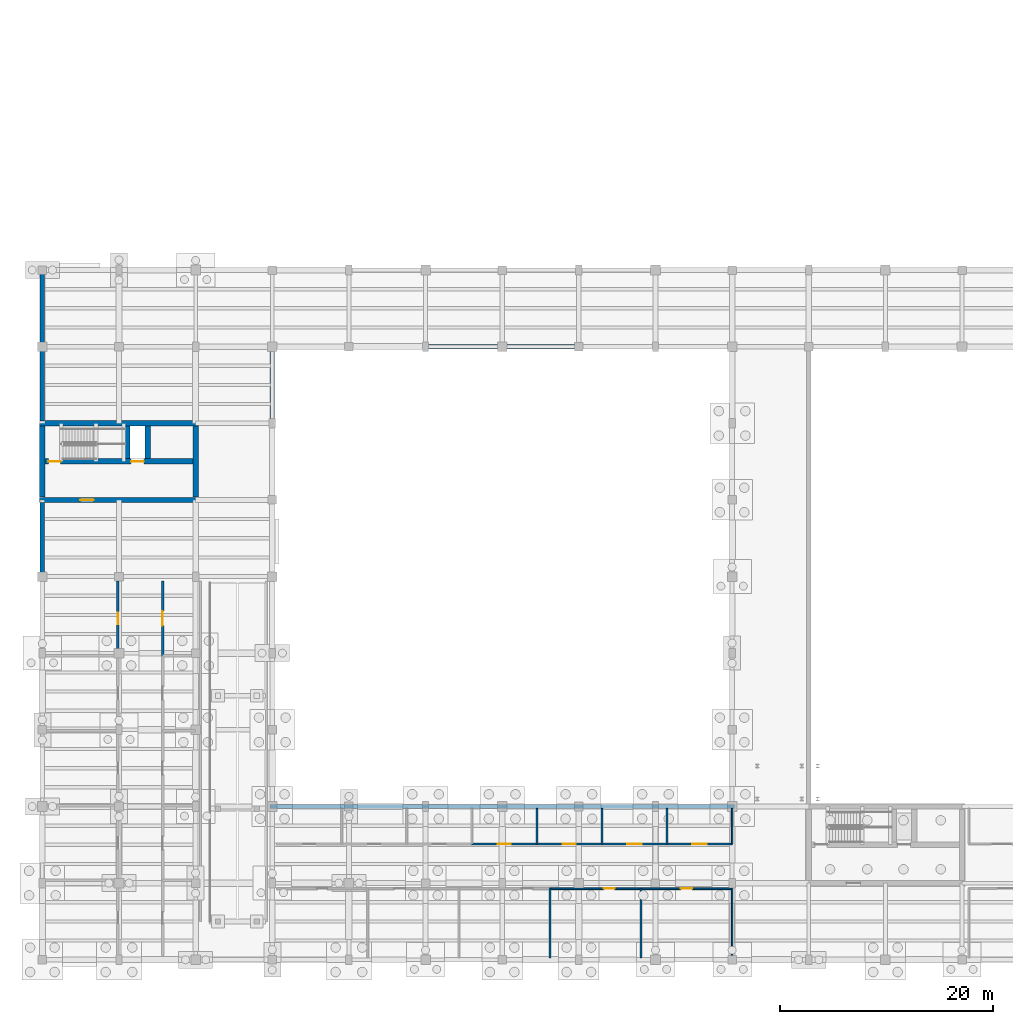
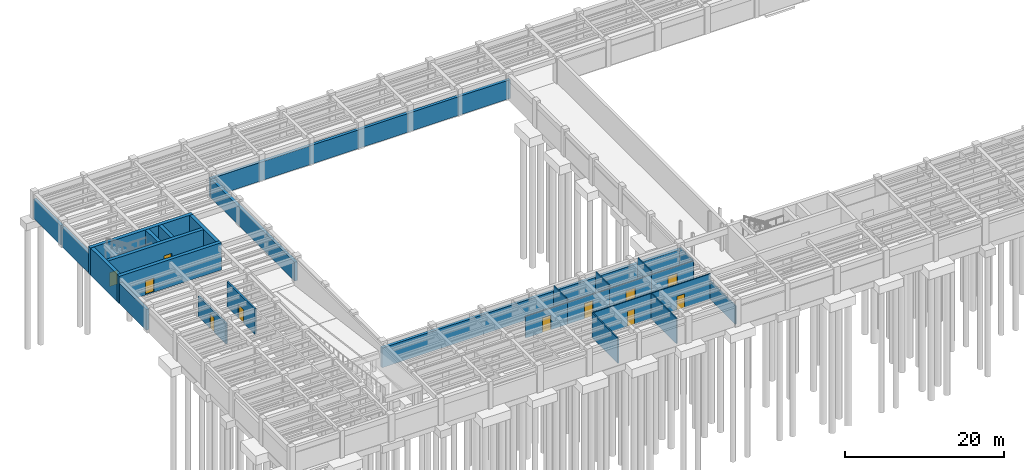
# One storey, part 17 of 33: 28 walls, 11 doors, 11 openings.
"""IFC4 building model written with IfcOpenShell, lengths in metres."""

from ifc_helpers import new_model, si_unit, direction, frame, frame_2d, origin, place, context, subcontext, project, spatial, rectangle, extrude, material, layer, layer_set, type_object, element, fill, save


model = new_model("IFC4")

# Units and contexts
model_context = context("Model", 3, precision=1e-05, world=origin(), true_north=direction((0.0, 1.0)))
body_context = subcontext(model_context, "Body", "Model", "MODEL_VIEW")
ifc_project = project(units=[si_unit("LENGTHUNIT", "METRE"), si_unit("AREAUNIT", "SQUARE_METRE"), si_unit("VOLUMEUNIT", "CUBIC_METRE"), si_unit("PLANEANGLEUNIT", "RADIAN"), si_unit("MASSUNIT", "GRAM", prefix="KILO")], contexts=[model_context])

# Site, building, storey
site_placement = place(None, origin())
site = spatial("IfcSite", under=ifc_project, at=site_placement, CompositionType="ELEMENT")
building_placement = place(site_placement, origin())
building = spatial("IfcBuilding", under=site, at=building_placement, Name="Mithqara Police Headquarters", CompositionType="ELEMENT")
storey_placement = place(building_placement, frame((0.0, 0.0, -4.199951171875)))
storey = spatial("IfcBuildingStorey", under=building, at=storey_placement, Name="B1", CompositionType="ELEMENT", Elevation=-4.199951171875)

# Walls
ifc_material_1 = material(Name="Gypsum acoustic stud partition", Category="gypsum")
ifc_layer_1 = layer(ifc_material_1, 0.159912109375, Name="Gypsum acoustic stud partition")
ifc_layer_set_1 = layer_set([ifc_layer_1], Name="Gypsum acoustic stud partition")
wall_type_1 = type_object("IfcWallType", Name="PART WALL 160", PredefinedType="PARTITIONING", material=ifc_layer_set_1)
wall_1_placement = place(storey_placement, frame((72.60009765625, 21.179931640625, 0.0), z_axis=(0.0, 0.0, 1.0), x_axis=(0.0, 1.0, 0.0)))
element("IfcWall", 1, at=wall_1_placement, inside=storey, type_object=wall_type_1, Name="B1 Partition End Closure E1", PredefinedType="PARTITIONING", context=body_context, shape_type="SweptSolid", body=[
    extrude(rectangle(XDim=6.5, YDim=0.159912109375, at=frame_2d((3.25, 0.0))), origin(), (0.0, 0.0, 1.0), 2.8798828125),
])
wall_2_placement = place(storey_placement, frame((55.488037109375, 21.179931640625, 0.0), z_axis=(0.0, 0.0, 1.0), x_axis=(0.0, 1.0, 0.0)))
element("IfcWall", 2, at=wall_2_placement, inside=storey, type_object=wall_type_1, Name="B1 Room Partition Patrol Car Park", PredefinedType="PARTITIONING", context=body_context, shape_type="SweptSolid", body=[
    extrude(rectangle(XDim=6.5, YDim=0.159912109375, at=frame_2d((3.25, 0.0))), origin(), (0.0, 0.0, 1.0), 3.8798828125),
])

# Wall, opening, door
wall_3_placement = place(storey_placement, frame((55.488037109375, 27.679931640625, 0.0), z_axis=(0.0, 0.0, 1.0), x_axis=(1.0, 0.0, 0.0)))
wall_3 = element("IfcWall", 3, at=wall_3_placement, inside=storey, type_object=wall_type_1, Name="B1 Corridor Wall Driver Briefing Alcove", PredefinedType="PARTITIONING", context=body_context, shape_type="SweptSolid", body=[
    extrude(rectangle(XDim=8.555908203125, YDim=0.159912109375, at=frame_2d((4.27783203125, 0.0))), origin(), (0.0, 0.0, 1.0), 3.8798828125),
])
opening_1_placement = place(wall_3_placement, frame((5.04150390625, 0.0, 0.0)))
opening_1 = element("IfcOpeningElement", 4, at=opening_1_placement, cuts=wall_3, Name="Opening D-09", PredefinedType="OPENING", context=body_context, shape_type="SweptSolid", body=[
    extrude(rectangle(XDim=1.0400390625, YDim=2.35009765625, at=frame_2d((0.52001953125, 1.175048828125))), frame((0.0, 0.08984375, 0.0), z_axis=(0.0, -1.0, 0.0), x_axis=(1.0, 0.0, 0.0)), (0.0, 0.0, 1.0), 0.179931640625),
])
ifc_material_2 = material(Name="Acoustic solid-core timber leaf", Category="wood")
door_type_1 = type_object("IfcDoorType", Name="INT DOOR 1040X2350", OperationType="NOTDEFINED", PredefinedType="DOOR", material=ifc_material_2)
door_1_placement = place(opening_1_placement, frame((1.0400390625, 0.0, 0.0), z_axis=(0.0, 0.0, 1.0), x_axis=(-1.0, 0.0, 0.0)))
door_1 = element("IfcDoor", 5, at=door_1_placement, inside=storey, type_object=door_type_1, Name="Driver Briefing Alcove Entry Door", OperationType="SINGLE_SWING_RIGHT", OverallHeight=2.35009765625, OverallWidth=1.0400390625, PredefinedType="DOOR", context=body_context, shape_type="SweptSolid", body=[
    extrude(rectangle(XDim=1.0400390625, YDim=2.35009765625, at=frame_2d((0.52001953125, 1.175048828125))), frame((0.0, 0.02490234375, 0.0), z_axis=(0.0, -1.0, 0.0), x_axis=(1.0, 0.0, 0.0)), (0.0, 0.0, 1.0), 0.050048828125),
])
fill(opening_1, door_1)

# Wall
wall_4_placement = place(storey_placement, frame((64.0439453125, 21.179931640625, 0.0), z_axis=(0.0, 0.0, 1.0), x_axis=(0.0, 1.0, 0.0)))
element("IfcWall", 6, at=wall_4_placement, inside=storey, type_object=wall_type_1, Name="B1 Room Partition Driver Briefing Alcove", PredefinedType="PARTITIONING", context=body_context, shape_type="SweptSolid", body=[
    extrude(rectangle(XDim=6.5, YDim=0.159912109375, at=frame_2d((3.25, 0.0))), origin(), (0.0, 0.0, 1.0), 3.8798828125),
])

# Wall, opening, door
wall_5_placement = place(storey_placement, frame((64.0439453125, 27.679931640625, 0.0), z_axis=(0.0, 0.0, 1.0), x_axis=(1.0, 0.0, 0.0)))
wall_5 = element("IfcWall", 7, at=wall_5_placement, inside=storey, type_object=wall_type_1, Name="B1 Corridor Wall Patrol Car Park", PredefinedType="PARTITIONING", context=body_context, shape_type="SweptSolid", body=[
    extrude(rectangle(XDim=8.55615234375, YDim=0.159912109375, at=frame_2d((4.278076171875, 0.0))), origin(), (0.0, 0.0, 1.0), 3.8798828125),
])
opening_2_placement = place(wall_5_placement, frame((3.72802734375, 0.0, 0.0)))
opening_2 = element("IfcOpeningElement", 8, at=opening_2_placement, cuts=wall_5, Name="Opening D-10", PredefinedType="OPENING", context=body_context, shape_type="SweptSolid", body=[
    extrude(rectangle(XDim=1.10009765625, YDim=2.10009765625, at=frame_2d((0.550048828125, 1.050048828125))), frame((0.0, 0.08984375, 0.0), z_axis=(0.0, -1.0, 0.0), x_axis=(1.0, 0.0, 0.0)), (0.0, 0.0, 1.0), 0.179931640625),
])
door_type_2 = type_object("IfcDoorType", Name="INT DOOR 1100X2100", OperationType="NOTDEFINED", PredefinedType="DOOR", material=ifc_material_2)
door_2_placement = place(opening_2_placement, frame((1.10009765625, 0.0, 0.0), z_axis=(0.0, 0.0, 1.0), x_axis=(-1.0, 0.0, 0.0)))
door_2 = element("IfcDoor", 9, at=door_2_placement, inside=storey, type_object=door_type_2, Name="Patrol Car Park Entry Door", OperationType="SINGLE_SWING_LEFT", OverallHeight=2.10009765625, OverallWidth=1.10009765625, PredefinedType="DOOR", context=body_context, shape_type="SweptSolid", body=[
    extrude(rectangle(XDim=1.10009765625, YDim=2.10009765625, at=frame_2d((0.550048828125, 1.050048828125))), frame((0.0, 0.02490234375, 0.0), z_axis=(0.0, -1.0, 0.0), x_axis=(1.0, 0.0, 0.0)), (0.0, 0.0, 1.0), 0.050048828125),
])
fill(opening_2, door_2)

# Wall
wall_6_placement = place(storey_placement, frame((72.60009765625, 31.8798828125, 0.0), z_axis=(0.0, 0.0, 1.0), x_axis=(0.0, 1.0, 0.0)))
element("IfcWall", 10, at=wall_6_placement, inside=storey, type_object=wall_type_1, Name="B1 Partition End Closure E1", PredefinedType="PARTITIONING", context=body_context, shape_type="SweptSolid", body=[
    extrude(rectangle(XDim=3.340087890625, YDim=0.159912109375, at=frame_2d((1.669921875, 0.0))), origin(), (0.0, 0.0, 1.0), 3.329833984375),
])

# Wall, opening, door
wall_7_placement = place(storey_placement, frame((48.154052734375, 31.8798828125, 0.0), z_axis=(0.0, 0.0, 1.0), x_axis=(1.0, 0.0, 0.0)))
wall_7 = element("IfcWall", 11, at=wall_7_placement, inside=storey, type_object=wall_type_1, Name="B1 Corridor Wall Patrol Car Park", PredefinedType="PARTITIONING", context=body_context, shape_type="SweptSolid", body=[
    extrude(rectangle(XDim=6.112060546875, YDim=0.159912109375, at=frame_2d((3.05615234375, 0.0))), origin(), (0.0, 0.0, 1.0), 3.329833984375),
])
opening_3_placement = place(wall_7_placement, frame((2.446044921875, 0.0, 0.0)))
opening_3 = element("IfcOpeningElement", 12, at=opening_3_placement, cuts=wall_7, Name="Opening D-14", PredefinedType="OPENING", context=body_context, shape_type="SweptSolid", body=[
    extrude(rectangle(XDim=1.219970703125, YDim=2.219970703125, at=frame_2d((0.60986328125, 1.10986328125))), frame((0.0, 0.08984375, 0.0), z_axis=(0.0, -1.0, 0.0), x_axis=(1.0, 0.0, 0.0)), (0.0, 0.0, 1.0), 0.179931640625),
])
door_type_3 = type_object("IfcDoorType", Name="INT DOOR 1220X2220", OperationType="NOTDEFINED", PredefinedType="DOOR", material=ifc_material_2)
door_3_placement = place(opening_3_placement, origin())
door_3 = element("IfcDoor", 13, at=door_3_placement, inside=storey, type_object=door_type_3, Name="Patrol Car Park Entry Door", OperationType="SINGLE_SWING_LEFT", OverallHeight=2.219970703125, OverallWidth=1.219970703125, PredefinedType="DOOR", context=body_context, shape_type="SweptSolid", body=[
    extrude(rectangle(XDim=1.219970703125, YDim=2.219970703125, at=frame_2d((0.60986328125, 1.10986328125))), frame((0.0, 0.02490234375, 0.0), z_axis=(0.0, -1.0, 0.0), x_axis=(1.0, 0.0, 0.0)), (0.0, 0.0, 1.0), 0.050048828125),
])
fill(opening_3, door_3)

# Wall
wall_8_placement = place(storey_placement, frame((54.26611328125, 31.8798828125, 0.0), z_axis=(0.0, 0.0, 1.0), x_axis=(0.0, 1.0, 0.0)))
element("IfcWall", 14, at=wall_8_placement, inside=storey, type_object=wall_type_1, Name="B1 Room Partition Patrol Car Park", PredefinedType="PARTITIONING", context=body_context, shape_type="SweptSolid", body=[
    extrude(rectangle(XDim=3.340087890625, YDim=0.159912109375, at=frame_2d((1.669921875, 0.0))), origin(), (0.0, 0.0, 1.0), 3.8798828125),
])

# Wall, opening, door
wall_9_placement = place(storey_placement, frame((54.26611328125, 31.8798828125, 0.0), z_axis=(0.0, 0.0, 1.0), x_axis=(1.0, 0.0, 0.0)))
wall_9 = element("IfcWall", 15, at=wall_9_placement, inside=storey, type_object=wall_type_1, Name="B1 Corridor Wall Driver Briefing Alcove", PredefinedType="PARTITIONING", context=body_context, shape_type="SweptSolid", body=[
    extrude(rectangle(XDim=6.11083984375, YDim=0.159912109375, at=frame_2d((3.055419921875, 0.0))), origin(), (0.0, 0.0, 1.0), 3.329833984375),
])
opening_4_placement = place(wall_9_placement, frame((2.445556640625, 0.0, 0.0)))
opening_4 = element("IfcOpeningElement", 16, at=opening_4_placement, cuts=wall_9, Name="Opening D-15", PredefinedType="OPENING", context=body_context, shape_type="SweptSolid", body=[
    extrude(rectangle(XDim=1.219970703125, YDim=2.35009765625, at=frame_2d((0.60986328125, 1.175048828125))), frame((0.0, 0.08984375, 0.0), z_axis=(0.0, -1.0, 0.0), x_axis=(1.0, 0.0, 0.0)), (0.0, 0.0, 1.0), 0.179931640625),
])
door_type_4 = type_object("IfcDoorType", Name="INT DOOR 1220X2350", OperationType="NOTDEFINED", PredefinedType="DOOR", material=ifc_material_2)
door_4_placement = place(opening_4_placement, origin())
door_4 = element("IfcDoor", 17, at=door_4_placement, inside=storey, type_object=door_type_4, Name="Driver Briefing Alcove Entry Door", OperationType="SINGLE_SWING_RIGHT", OverallHeight=2.35009765625, OverallWidth=1.219970703125, PredefinedType="DOOR", context=body_context, shape_type="SweptSolid", body=[
    extrude(rectangle(XDim=1.219970703125, YDim=2.35009765625, at=frame_2d((0.60986328125, 1.175048828125))), frame((0.0, 0.02490234375, 0.0), z_axis=(0.0, -1.0, 0.0), x_axis=(1.0, 0.0, 0.0)), (0.0, 0.0, 1.0), 0.050048828125),
])
fill(opening_4, door_4)

# Wall
wall_10_placement = place(storey_placement, frame((60.376953125, 31.8798828125, 0.0), z_axis=(0.0, 0.0, 1.0), x_axis=(0.0, 1.0, 0.0)))
element("IfcWall", 18, at=wall_10_placement, inside=storey, type_object=wall_type_1, Name="B1 Room Partition Driver Briefing Alcove", PredefinedType="PARTITIONING", context=body_context, shape_type="SweptSolid", body=[
    extrude(rectangle(XDim=3.340087890625, YDim=0.159912109375, at=frame_2d((1.669921875, 0.0))), origin(), (0.0, 0.0, 1.0), 3.8798828125),
])

# Wall, opening, door
wall_11_placement = place(storey_placement, frame((60.376953125, 31.8798828125, 0.0), z_axis=(0.0, 0.0, 1.0), x_axis=(1.0, 0.0, 0.0)))
wall_11 = element("IfcWall", 19, at=wall_11_placement, inside=storey, type_object=wall_type_1, Name="B1 Corridor Wall Patrol Car Park", PredefinedType="PARTITIONING", context=body_context, shape_type="SweptSolid", body=[
    extrude(rectangle(XDim=6.112060546875, YDim=0.159912109375, at=frame_2d((3.05615234375, 0.0))), origin(), (0.0, 0.0, 1.0), 3.329833984375),
])
opening_5_placement = place(wall_11_placement, frame((2.3759765625, 0.0, 0.0)))
opening_5 = element("IfcOpeningElement", 20, at=opening_5_placement, cuts=wall_11, Name="Opening D-16", PredefinedType="OPENING", context=body_context, shape_type="SweptSolid", body=[
    extrude(rectangle(XDim=1.360107421875, YDim=2.10009765625, at=frame_2d((0.68017578125, 1.050048828125))), frame((0.0, 0.08984375, 0.0), z_axis=(0.0, -1.0, 0.0), x_axis=(1.0, 0.0, 0.0)), (0.0, 0.0, 1.0), 0.179931640625),
])
ifc_material_3 = material(Name="Bronze anodised aluminium 6063-T6", Category="aluminium")
door_type_5 = type_object("IfcDoorType", Name="INT DOOR 1360X2100", OperationType="NOTDEFINED", PredefinedType="DOOR", material=ifc_material_3)
door_5_placement = place(opening_5_placement, origin())
door_5 = element("IfcDoor", 21, at=door_5_placement, inside=storey, type_object=door_type_5, Name="Patrol Car Park Entry Door", OperationType="SINGLE_SWING_LEFT", OverallHeight=2.10009765625, OverallWidth=1.360107421875, PredefinedType="DOOR", context=body_context, shape_type="SweptSolid", body=[
    extrude(rectangle(XDim=1.360107421875, YDim=2.10009765625, at=frame_2d((0.68017578125, 1.050048828125))), frame((0.0, 0.02490234375, 0.0), z_axis=(0.0, -1.0, 0.0), x_axis=(1.0, 0.0, 0.0)), (0.0, 0.0, 1.0), 0.050048828125),
])
fill(opening_5, door_5)

# Wall
wall_12_placement = place(storey_placement, frame((66.489013671875, 31.8798828125, 0.0), z_axis=(0.0, 0.0, 1.0), x_axis=(0.0, 1.0, 0.0)))
element("IfcWall", 22, at=wall_12_placement, inside=storey, type_object=wall_type_1, Name="B1 Room Partition Patrol Car Park", PredefinedType="PARTITIONING", context=body_context, shape_type="SweptSolid", body=[
    extrude(rectangle(XDim=3.340087890625, YDim=0.159912109375, at=frame_2d((1.669921875, 0.0))), origin(), (0.0, 0.0, 1.0), 3.8798828125),
])

# Wall, opening, door
wall_13_placement = place(storey_placement, frame((66.489013671875, 31.8798828125, 0.0), z_axis=(0.0, 0.0, 1.0), x_axis=(1.0, 0.0, 0.0)))
wall_13 = element("IfcWall", 23, at=wall_13_placement, inside=storey, type_object=wall_type_1, Name="B1 Corridor Wall Driver Briefing Alcove", PredefinedType="PARTITIONING", context=body_context, shape_type="SweptSolid", body=[
    extrude(rectangle(XDim=6.111083984375, YDim=0.159912109375, at=frame_2d((3.0556640625, 0.0))), origin(), (0.0, 0.0, 1.0), 3.329833984375),
])
opening_6_placement = place(wall_13_placement, frame((2.37548828125, 0.0, 0.0)))
opening_6 = element("IfcOpeningElement", 24, at=opening_6_placement, cuts=wall_13, Name="Opening D-17", PredefinedType="OPENING", context=body_context, shape_type="SweptSolid", body=[
    extrude(rectangle(XDim=1.360107421875, YDim=2.219970703125, at=frame_2d((0.68017578125, 1.10986328125))), frame((0.0, 0.08984375, 0.0), z_axis=(0.0, -1.0, 0.0), x_axis=(1.0, 0.0, 0.0)), (0.0, 0.0, 1.0), 0.179931640625),
])
door_type_6 = type_object("IfcDoorType", Name="INT DOOR 1360X2220", OperationType="NOTDEFINED", PredefinedType="DOOR", material=ifc_material_3)
door_6_placement = place(opening_6_placement, origin())
door_6 = element("IfcDoor", 25, at=door_6_placement, inside=storey, type_object=door_type_6, Name="Driver Briefing Alcove Entry Door", OperationType="SINGLE_SWING_RIGHT", OverallHeight=2.219970703125, OverallWidth=1.360107421875, PredefinedType="DOOR", context=body_context, shape_type="SweptSolid", body=[
    extrude(rectangle(XDim=1.360107421875, YDim=2.219970703125, at=frame_2d((0.68017578125, 1.10986328125))), frame((0.0, 0.02490234375, 0.0), z_axis=(0.0, -1.0, 0.0), x_axis=(1.0, 0.0, 0.0)), (0.0, 0.0, 1.0), 0.050048828125),
])
fill(opening_6, door_6)

ifc_material_4 = material(Name="Concrete C40/50", Category="concrete")
ifc_layer_2 = layer(ifc_material_4, 0.22998046875, Name="Concrete C40/50")
ifc_layer_set_2 = layer_set([ifc_layer_2], Name="Concrete C40/50")
wall_type_2 = type_object("IfcWallType", Name="PART WALL 230", PredefinedType="PARTITIONING", material=ifc_layer_set_2)
wall_14_placement = place(storey_placement, frame((14.89990234375, 49.548095703125, 0.0), z_axis=(0.0, 0.0, 1.0), x_axis=(0.0, 1.0, 0.0)))
wall_14 = element("IfcWall", 26, at=wall_14_placement, inside=storey, type_object=wall_type_2, Name="B1 Corridor Wall Range Control Booth", PredefinedType="PARTITIONING", context=body_context, shape_type="SweptSolid", body=[
    extrude(rectangle(XDim=7.031982421875, YDim=0.22998046875, at=frame_2d((3.51611328125, 0.0))), origin(), (0.0, 0.0, 1.0), 3.1298828125),
])
opening_7_placement = place(wall_14_placement, frame((2.966064453125, 0.0, 0.0)))
opening_7 = element("IfcOpeningElement", 27, at=opening_7_placement, cuts=wall_14, Name="Opening D-11", PredefinedType="OPENING", context=body_context, shape_type="SweptSolid", body=[
    extrude(rectangle(XDim=1.10009765625, YDim=2.219970703125, at=frame_2d((0.550048828125, 1.10986328125))), frame((0.0, 0.125, 0.0), z_axis=(0.0, -1.0, 0.0), x_axis=(1.0, 0.0, 0.0)), (0.0, 0.0, 1.0), 0.25),
])
door_type_7 = type_object("IfcDoorType", Name="INT DOOR 1100X2220", OperationType="NOTDEFINED", PredefinedType="DOOR", material=ifc_material_2)
door_7_placement = place(opening_7_placement, frame((1.10009765625, 0.0, 0.0), z_axis=(0.0, 0.0, 1.0), x_axis=(-1.0, 0.0, 0.0)))
door_7 = element("IfcDoor", 28, at=door_7_placement, inside=storey, type_object=door_type_7, Name="Range Control Booth Entry Door", OperationType="SINGLE_SWING_RIGHT", OverallHeight=2.219970703125, OverallWidth=1.10009765625, PredefinedType="DOOR", context=body_context, shape_type="SweptSolid", body=[
    extrude(rectangle(XDim=1.10009765625, YDim=2.219970703125, at=frame_2d((0.550048828125, 1.10986328125))), frame((0.0, 0.02490234375, 0.0), z_axis=(0.0, -1.0, 0.0), x_axis=(1.0, 0.0, 0.0)), (0.0, 0.0, 1.0), 0.050048828125),
])
fill(opening_7, door_7)

wall_15_placement = place(storey_placement, frame((19.10009765625, 49.548095703125, 0.0), z_axis=(0.0, 0.0, 1.0), x_axis=(0.0, 1.0, 0.0)))
wall_15 = element("IfcWall", 29, at=wall_15_placement, inside=storey, type_object=wall_type_2, Name="B1 Corridor Wall Indoor Firing Range", PredefinedType="PARTITIONING", context=body_context, shape_type="SweptSolid", body=[
    extrude(rectangle(XDim=7.031982421875, YDim=0.22998046875, at=frame_2d((3.51611328125, 0.0))), origin(), (0.0, 0.0, 1.0), 3.8798828125),
])
opening_8_placement = place(wall_15_placement, frame((2.8359375, 0.0, 0.0)))
opening_8 = element("IfcOpeningElement", 30, at=opening_8_placement, cuts=wall_15, Name="Opening D-16", PredefinedType="OPENING", context=body_context, shape_type="SweptSolid", body=[
    extrude(rectangle(XDim=1.360107421875, YDim=2.10009765625, at=frame_2d((0.68017578125, 1.050048828125))), frame((0.0, 0.125, 0.0), z_axis=(0.0, -1.0, 0.0), x_axis=(1.0, 0.0, 0.0)), (0.0, 0.0, 1.0), 0.25),
])
door_8_placement = place(opening_8_placement, origin())
door_8 = element("IfcDoor", 31, at=door_8_placement, inside=storey, type_object=door_type_5, Name="Indoor Firing Range Entry Door", OperationType="SINGLE_SWING_LEFT", OverallHeight=2.10009765625, OverallWidth=1.360107421875, PredefinedType="DOOR", context=body_context, shape_type="SweptSolid", body=[
    extrude(rectangle(XDim=1.360107421875, YDim=2.10009765625, at=frame_2d((0.68017578125, 1.050048828125))), frame((0.0, 0.02490234375, 0.0), z_axis=(0.0, -1.0, 0.0), x_axis=(1.0, 0.0, 0.0)), (0.0, 0.0, 1.0), 0.050048828125),
])
fill(opening_8, door_8)

# Walls
ifc_layer_3 = layer(ifc_material_4, 0.419921875, Name="Concrete C40/50")
ifc_layer_set_3 = layer_set([ifc_layer_3], Name="Concrete C40/50")
wall_type_3 = type_object("IfcWallType", Name="RETAINING WALL 420", PredefinedType="USERDEFINED", material=ifc_layer_set_3)
wall_16_placement = place(storey_placement, frame((7.800048828125, 57.199951171875, 0.0), z_axis=(0.0, 0.0, 1.0), x_axis=(0.0, 1.0, 0.0)))
element("IfcWall", 32, at=wall_16_placement, inside=storey, type_object=wall_type_3, Name="B1 Perimeter Retaining Wall 3", ObjectType="RETAININGWALL", PredefinedType="USERDEFINED", context=body_context, shape_type="SweptSolid", body=[
    extrude(rectangle(XDim=6.77001953125, YDim=0.419921875, at=frame_2d((3.385009765625, 0.0))), origin(), (0.0, 0.0, 1.0), 3.179931640625),
])
wall_17_placement = place(storey_placement, frame((7.800048828125, 71.6298828125, 0.0), z_axis=(0.0, 0.0, 1.0), x_axis=(0.0, 1.0, 0.0)))
element("IfcWall", 33, at=wall_17_placement, inside=storey, type_object=wall_type_3, Name="B1 Perimeter Retaining Wall 4", ObjectType="RETAININGWALL", PredefinedType="USERDEFINED", context=body_context, shape_type="SweptSolid", body=[
    extrude(rectangle(XDim=6.77001953125, YDim=0.419921875, at=frame_2d((3.385009765625, 0.0))), origin(), (0.0, 0.0, 1.0), 3.030029296875),
])
wall_18_placement = place(storey_placement, frame((7.800048828125, 78.800048828125, 0.0), z_axis=(0.0, 0.0, 1.0), x_axis=(0.0, 1.0, 0.0)))
element("IfcWall", 34, at=wall_18_placement, inside=storey, type_object=wall_type_3, Name="B1 Perimeter Retaining Wall 5", ObjectType="RETAININGWALL", PredefinedType="USERDEFINED", context=body_context, shape_type="SweptSolid", body=[
    extrude(rectangle(XDim=6.800048828125, YDim=0.419921875, at=frame_2d((3.39990234375, 0.0))), origin(), (0.0, 0.0, 1.0), 2.97998046875),
])
wall_19_placement = place(storey_placement, frame((29.18994140625, 35.39990234375, 0.0), z_axis=(0.0, 0.0, 1.0), x_axis=(1.0, 0.0, 0.0)))
element("IfcWall", 35, at=wall_19_placement, inside=storey, type_object=wall_type_3, Name="B1 Perimeter Retaining Wall 17", ObjectType="RETAININGWALL", PredefinedType="USERDEFINED", context=body_context, shape_type="SweptSolid", body=[
    extrude(rectangle(XDim=43.6201171875, YDim=0.419921875, at=frame_2d((21.81005859375, 0.0))), origin(), (0.0, 0.0, 1.0), 3.030029296875),
])
wall_20_placement = place(storey_placement, frame((72.81005859375, 78.60009765625, 0.0), z_axis=(0.0, 0.0, 1.0), x_axis=(-1.0, 0.0, 0.0)))
element("IfcWall", 36, at=wall_20_placement, inside=storey, type_object=wall_type_3, Name="B1 Perimeter Retaining Wall 19", ObjectType="RETAININGWALL", PredefinedType="USERDEFINED", context=body_context, shape_type="SweptSolid", body=[
    extrude(rectangle(XDim=43.6201171875, YDim=0.419921875, at=frame_2d((21.81005859375, 0.0))), origin(), (0.0, 0.0, 1.0), 2.8798828125),
])
wall_21_placement = place(storey_placement, frame((29.39990234375, 78.39990234375, 0.0), z_axis=(0.0, 0.0, 1.0), x_axis=(0.0, -1.0, 0.0)))
element("IfcWall", 37, at=wall_21_placement, inside=storey, type_object=wall_type_3, Name="B1 Perimeter Retaining Wall 20", ObjectType="RETAININGWALL", PredefinedType="USERDEFINED", context=body_context, shape_type="SweptSolid", body=[
    extrude(rectangle(XDim=21.199951171875, YDim=0.419921875, at=frame_2d((10.60009765625, 0.0))), origin(), (0.0, 0.0, 1.0), 2.8798828125),
])
ifc_material_5 = material(Name="Concrete C50/60", Category="concrete")
ifc_layer_4 = layer(ifc_material_5, 0.5, Name="Concrete C50/60")
ifc_layer_set_4 = layer_set([ifc_layer_4], Name="Concrete C50/60")
wall_type_4 = type_object("IfcWallType", Name="SHEAR WALL 500", PredefinedType="SHEAR", material=ifc_layer_set_4)
wall_22_placement = place(storey_placement, frame((7.550048828125, 71.39990234375, 0.0), z_axis=(0.0, 0.0, 1.0), x_axis=(1.0, 0.0, 0.0)))
element("IfcWall", 38, at=wall_22_placement, inside=storey, type_object=wall_type_4, Name="Core C3 Operations West Shear Wall N", PredefinedType="SHEAR", context=body_context, shape_type="SweptSolid", body=[
    extrude(rectangle(XDim=14.89990234375, YDim=0.5, at=frame_2d((7.449951171875, 0.0))), origin(), (0.0, 0.0, 1.0), 4.199951171875),
])

# Wall, opening, door
wall_23_placement = place(storey_placement, frame((7.550048828125, 64.199951171875, 0.0), z_axis=(0.0, 0.0, 1.0), x_axis=(1.0, 0.0, 0.0)))
wall_23 = element("IfcWall", 39, at=wall_23_placement, inside=storey, type_object=wall_type_4, Name="Core C3 Operations West Shear Wall S", PredefinedType="SHEAR", context=body_context, shape_type="SweptSolid", body=[
    extrude(rectangle(XDim=14.89990234375, YDim=0.5, at=frame_2d((7.449951171875, 0.0))), origin(), (0.0, 0.0, 1.0), 4.199951171875),
])
opening_9_placement = place(wall_23_placement, frame((3.800048828125, 0.0, 0.0)))
opening_9 = element("IfcOpeningElement", 40, at=opening_9_placement, cuts=wall_23, Name="Opening FD-02", PredefinedType="OPENING", context=body_context, shape_type="SweptSolid", body=[
    extrude(rectangle(XDim=1.300048828125, YDim=2.199951171875, at=frame_2d((0.64990234375, 1.10009765625))), frame((0.0, 0.260009765625, 0.0), z_axis=(0.0, -1.0, 0.0), x_axis=(1.0, 0.0, 0.0)), (0.0, 0.0, 1.0), 0.52001953125),
])
ifc_material_6 = material(Name="Steel S355JR", Category="steel")
door_type_8 = type_object("IfcDoorType", Name="CORE DOOR LOBBY 1300X2200", OperationType="NOTDEFINED", PredefinedType="DOOR", material=ifc_material_6)
door_9_placement = place(opening_9_placement, frame((1.300048828125, 0.0, 0.0), z_axis=(0.0, 0.0, 1.0), x_axis=(-1.0, 0.0, 0.0)))
door_9 = element("IfcDoor", 41, at=door_9_placement, inside=storey, type_object=door_type_8, Name="Core C3 Operations West Lobby Fire Door B1", OperationType="SINGLE_SWING_LEFT", OverallHeight=2.199951171875, OverallWidth=1.300048828125, PredefinedType="DOOR", context=body_context, shape_type="SweptSolid", body=[
    extrude(rectangle(XDim=1.300048828125, YDim=2.199951171875, at=frame_2d((0.64990234375, 1.10009765625))), frame((0.0, 0.02490234375, 0.0), z_axis=(0.0, -1.0, 0.0), x_axis=(1.0, 0.0, 0.0)), (0.0, 0.0, 1.0), 0.050048828125),
])
fill(opening_9, door_9)

# Walls
for number, where, z_axis, x_axis, name in (
    (42, (7.800048828125, 64.4599609375, 0.0), (0.0, 0.0, 1.0), (0.0, 1.0, 0.0), "Core C3 Operations West Shear Wall W"),
    (43, (22.199951171875, 64.4599609375, 0.0), (0.0, 0.0, 1.0), (0.0, 1.0, 0.0), "Core C3 Operations West Shear Wall E"),
):
    element("IfcWall", number, at=place(storey_placement, frame(where, z_axis=z_axis, x_axis=x_axis)), inside=storey, type_object=wall_type_4, Name=name, PredefinedType="SHEAR", context=body_context, shape_type="SweptSolid", body=[
        extrude(rectangle(XDim=6.679931640625, YDim=0.5, at=frame_2d((3.33984375, 0.0))), origin(), (0.0, 0.0, 1.0), 4.199951171875),
    ])

# Wall, openings, doors
wall_24_placement = place(storey_placement, frame((8.06005859375, 67.820068359375, 0.0), z_axis=(0.0, 0.0, 1.0), x_axis=(1.0, 0.0, 0.0)))
wall_24 = element("IfcWall", 44, at=wall_24_placement, inside=storey, type_object=wall_type_4, Name="Core C3 Operations West Shear Wall M", PredefinedType="SHEAR", context=body_context, shape_type="SweptSolid", body=[
    extrude(rectangle(XDim=13.8798828125, YDim=0.5, at=frame_2d((6.93994140625, 0.0))), origin(), (0.0, 0.0, 1.0), 4.199951171875),
])
opening_10_placement = place(wall_24_placement, frame((8.080078125, 0.0, 0.0)))
opening_10 = element("IfcOpeningElement", 45, at=opening_10_placement, cuts=wall_24, Name="Opening LD-02", PredefinedType="OPENING", context=body_context, shape_type="SweptSolid", body=[
    extrude(rectangle(XDim=1.199951171875, YDim=2.14990234375, at=frame_2d((0.60009765625, 1.074951171875))), frame((0.0, 0.260009765625, 0.0), z_axis=(0.0, -1.0, 0.0), x_axis=(1.0, 0.0, 0.0)), (0.0, 0.0, 1.0), 0.52001953125),
])
opening_11_placement = place(wall_24_placement, frame((0.31494140625, 0.0, 0.0)))
opening_11 = element("IfcOpeningElement", 46, at=opening_11_placement, cuts=wall_24, Name="Opening FD-01", PredefinedType="OPENING", context=body_context, shape_type="SweptSolid", body=[
    extrude(rectangle(XDim=1.14990234375, YDim=2.14990234375, at=frame_2d((0.574951171875, 1.074951171875))), frame((0.0, 0.260009765625, 0.0), z_axis=(0.0, -1.0, 0.0), x_axis=(1.0, 0.0, 0.0)), (0.0, 0.0, 1.0), 0.52001953125),
])
door_type_9 = type_object("IfcDoorType", Name="CORE DOOR STAIR 1150X2150", OperationType="NOTDEFINED", PredefinedType="DOOR", material=ifc_material_6)
door_10_placement = place(opening_11_placement, origin())
door_10 = element("IfcDoor", 47, at=door_10_placement, inside=storey, type_object=door_type_9, Name="Stair ST-03 Fire Door B1", OperationType="SINGLE_SWING_RIGHT", OverallHeight=2.14990234375, OverallWidth=1.14990234375, PredefinedType="DOOR", context=body_context, shape_type="SweptSolid", body=[
    extrude(rectangle(XDim=1.14990234375, YDim=2.14990234375, at=frame_2d((0.574951171875, 1.074951171875))), frame((0.0, 0.02490234375, 0.0), z_axis=(0.0, -1.0, 0.0), x_axis=(1.0, 0.0, 0.0)), (0.0, 0.0, 1.0), 0.050048828125),
])
fill(opening_11, door_10)
door_type_10 = type_object("IfcDoorType", Name="LIFT DOOR 1200X2150", OperationType="DOUBLE_DOOR_SLIDING", PredefinedType="DOOR", material=ifc_material_6)
door_11_placement = place(opening_10_placement, frame((1.199951171875, 0.0, 0.0), z_axis=(0.0, 0.0, 1.0), x_axis=(-1.0, 0.0, 0.0)))
door_11 = element("IfcDoor", 48, at=door_11_placement, inside=storey, type_object=door_type_10, Name="Lift Landing Door LP-05-B1", OperationType="DOUBLE_DOOR_SLIDING", OverallHeight=2.14990234375, OverallWidth=1.199951171875, PredefinedType="DOOR", context=body_context, shape_type="SweptSolid", body=[
    extrude(rectangle(XDim=1.199951171875, YDim=2.14990234375, at=frame_2d((0.60009765625, 1.074951171875))), frame((0.0, 0.02490234375, 0.0), z_axis=(0.0, -1.0, 0.0), x_axis=(1.0, 0.0, 0.0)), (0.0, 0.0, 1.0), 0.050048828125),
])
fill(opening_10, door_11)

# Walls
for number, where, z_axis, x_axis, name in (
    (49, (15.780029296875, 68.080078125, 0.0), (0.0, 0.0, 1.0), (0.0, 1.0, 0.0), "Core C3 Operations West Shear Wall X"),
    (50, (17.699951171875, 68.080078125, 0.0), (0.0, 0.0, 1.0), (0.0, 1.0, 0.0), "Core C3 Operations West Shear Wall L1"),
):
    element("IfcWall", number, at=place(storey_placement, frame(where, z_axis=z_axis, x_axis=x_axis)), inside=storey, type_object=wall_type_4, Name=name, PredefinedType="SHEAR", context=body_context, shape_type="SweptSolid", body=[
        extrude(rectangle(XDim=3.059814453125, YDim=0.5, at=frame_2d((1.52978515625, 0.0))), origin(), (0.0, 0.0, 1.0), 4.199951171875),
    ])

save(model, "model.ifc")
